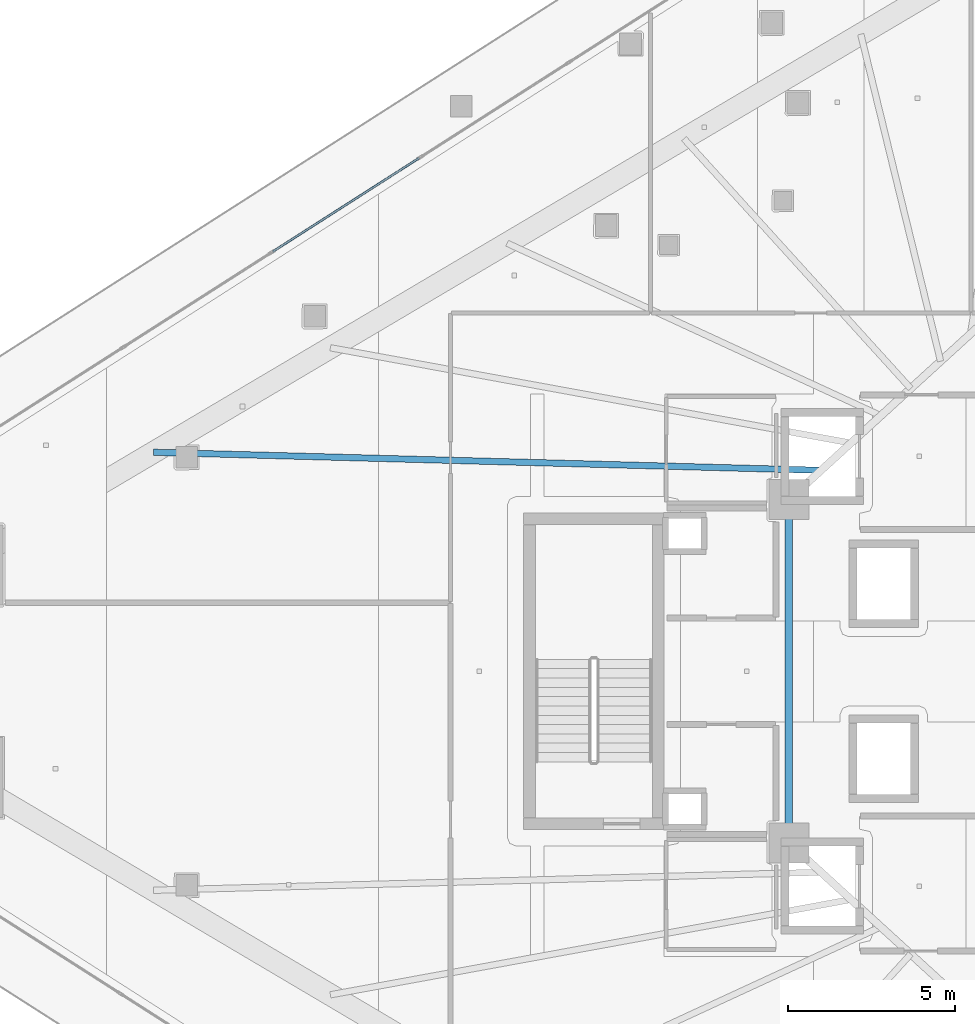
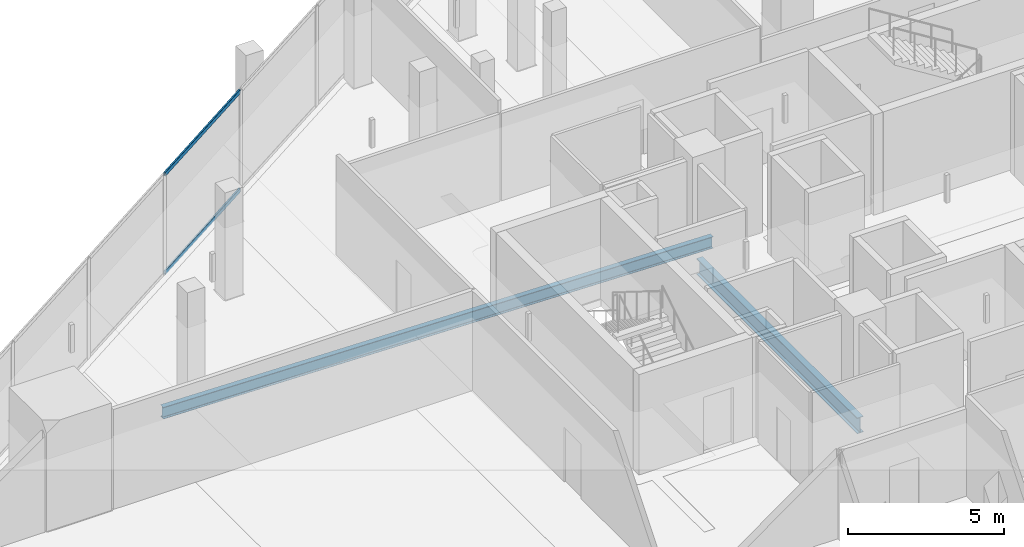
# One storey, part 13 of 44: 2 beams, 2 members, 1 element without a shape of its own.
"""IFC4 building model written with IfcOpenShell, lengths in metres."""

from ifc_helpers import new_model, si_unit, direction, frame, origin, origin_2d, place, context, subcontext, project, spatial, hollow_rectangle, i_section, extrude, material, layer, layer_set, material_profile, profile_set, type_object, element, aggregate, save


model = new_model("IFC4")

# Units and contexts
model_context = context("Model", 3, precision=1e-05, world=origin(), true_north=direction((0.0, 1.0)))
body_context = subcontext(model_context, "Body", "Model", "MODEL_VIEW")
ifc_project = project(units=[si_unit("LENGTHUNIT", "METRE"), si_unit("AREAUNIT", "SQUARE_METRE"), si_unit("VOLUMEUNIT", "CUBIC_METRE"), si_unit("PLANEANGLEUNIT", "RADIAN"), si_unit("MASSUNIT", "GRAM", prefix="KILO")], contexts=[model_context])

# Site, building, storey
site_placement = place(None, origin())
site = spatial("IfcSite", under=ifc_project, at=site_placement, CompositionType="ELEMENT")
building_placement = place(site_placement, origin())
building = spatial("IfcBuilding", under=site, at=building_placement, Name="Qorvath Tower", CompositionType="ELEMENT")
storey_placement = place(building_placement, frame((0.0, 0.0, 78.60009765625)))
storey = spatial("IfcBuildingStorey", under=building, at=storey_placement, Name="L17", CompositionType="ELEMENT", Elevation=78.60009765625)

# Beams
ifc_material_1 = material(Name="Steel ASTM A992 Grade 50", Category="steel")
ifc_material_profile_1 = material_profile(ifc_material_1, i_section(OverallWidth=0.22998046875, OverallDepth=0.616943359375, WebThickness=0.01318359375, FlangeThickness=0.022216796875, FilletRadius=0.014892578125, at=origin_2d()), Name="W24x94")
ifc_profile_set_1 = profile_set([ifc_material_profile_1], Name="Steel ASTM A992 Grade 50")
beam_type_1 = type_object("IfcBeamType", Name="BM-FG6", PredefinedType="BEAM", material=ifc_profile_set_1)
beam_1_placement = place(storey_placement, frame((-30.5, -5.14990234375, -0.58837890625), z_axis=(0.0, 1.0, 0.0), x_axis=(-1.0, 0.0, 0.0)))
element("IfcBeam", 1, at=beam_1_placement, inside=storey, type_object=beam_type_1, Name="Core Ring Girder CC6-CC5 L17", PredefinedType="BEAM", context=body_context, shape_type="SweptSolid", body=[
    extrude(i_section(OverallWidth=0.22998046875, OverallDepth=0.616943359375, WebThickness=0.01318359375, FlangeThickness=0.022216796875, FilletRadius=0.014892578125, at=origin_2d()), origin(), (0.0, 0.0, 1.0), 10.2998046875),
])
ifc_material_2 = material(Name="Steel ASTM A992 Grade 50", Category="steel")
ifc_material_profile_2 = material_profile(ifc_material_2, i_section(OverallWidth=0.18994140625, OverallDepth=0.45703125, WebThickness=0.009033203125, FlangeThickness=0.014404296875, FilletRadius=0.011962890625, at=origin_2d()), Name="W18x50")
ifc_profile_set_2 = profile_set([ifc_material_profile_2], Name="Steel ASTM A992 Grade 50")
beam_type_2 = type_object("IfcBeamType", Name="BM-FJ2", PredefinedType="JOIST", material=ifc_profile_set_2)
beam_2_placement = place(storey_placement, frame((-29.533935546875, 6.031982421875, -0.508544921875), z_axis=(-0.999634925413, 0.02701880631, 0.0), x_axis=(-0.02701880631, -0.999634925413, 0.0)))
element("IfcBeam", 2, at=beam_2_placement, inside=storey, type_object=beam_type_2, Name="Composite Floor Joist NW1 L17", PredefinedType="JOIST", context=body_context, shape_type="SweptSolid", body=[
    extrude(i_section(OverallWidth=0.18994140625, OverallDepth=0.45703125, WebThickness=0.009033203125, FlangeThickness=0.014404296875, FilletRadius=0.011962890625, at=origin_2d()), origin(), (0.0, 0.0, 1.0), 20.041748046875),
])

# Curtain wall, members
ifc_material_3 = material(Name="Anodised aluminium and triple low-E glass", Category="aluminium")
ifc_layer = layer(ifc_material_3, 0.179931640625)
ifc_layer_set = layer_set([ifc_layer], Name="CW-SYS-5")
curtain_wall_type = type_object("IfcCurtainWallType", Name="CW-SYS-5", PredefinedType="NOTDEFINED", material=ifc_layer_set)
curtain_wall_placement = place(storey_placement, origin())
curtain_wall = element("IfcCurtainWall", 3, at=curtain_wall_placement, inside=storey, type_object=curtain_wall_type, Name="Curtain Wall CW-5 CW-T-L17-4.1", PredefinedType="NOTDEFINED")
ifc_material_4 = material(Name="Anodised aluminium 6063-T6", Category="aluminium")
ifc_material_profile_3 = material_profile(ifc_material_4, hollow_rectangle(XDim=0.06494140625, YDim=0.159912109375, WallThickness=0.00341796875, InnerFilletRadius=0.00341796875, OuterFilletRadius=0.007080078125, at=origin_2d()), Name="CWT 160x65")
ifc_profile_set_3 = profile_set([ifc_material_profile_3], Name="Anodised aluminium 6063-T6")
member_type = type_object("IfcMemberType", Name="CWT-160", PredefinedType="USERDEFINED", material=ifc_profile_set_3)
member_1_placement = place(storey_placement, frame((-41.59814453125, 15.405517578125, 0.032470703125), z_axis=(-0.842605385104, -0.538531489324, 0.0), x_axis=(0.538531489324, -0.842605385104, 0.0)))
member_1 = element("IfcMember", 4, at=member_1_placement, type_object=member_type, Name="CW-5 transom 6.1", ObjectType="TRANSOM", PredefinedType="USERDEFINED", context=body_context, shape_type="SweptSolid", body=[
    extrude(hollow_rectangle(XDim=0.06494140625, YDim=0.159912109375, WallThickness=0.00341796875, InnerFilletRadius=0.00341796875, OuterFilletRadius=0.007080078125, at=origin_2d()), origin(), (0.0, 0.0, 1.0), 5.21484375),
])
member_2_placement = place(storey_placement, frame((-41.59814453125, 15.405517578125, 3.887451171875), z_axis=(-0.842605385104, -0.538531489324, 0.0), x_axis=(0.538531489324, -0.842605385104, 0.0)))
member_2 = element("IfcMember", 5, at=member_2_placement, type_object=member_type, Name="CW-5 transom 6.2", ObjectType="TRANSOM", PredefinedType="USERDEFINED", context=body_context, shape_type="SweptSolid", body=[
    extrude(hollow_rectangle(XDim=0.06494140625, YDim=0.159912109375, WallThickness=0.00341796875, InnerFilletRadius=0.00341796875, OuterFilletRadius=0.007080078125, at=origin_2d()), origin(), (0.0, 0.0, 1.0), 5.21484375),
])
aggregate(curtain_wall, [member_1, member_2])

save(model, "model.ifc")
